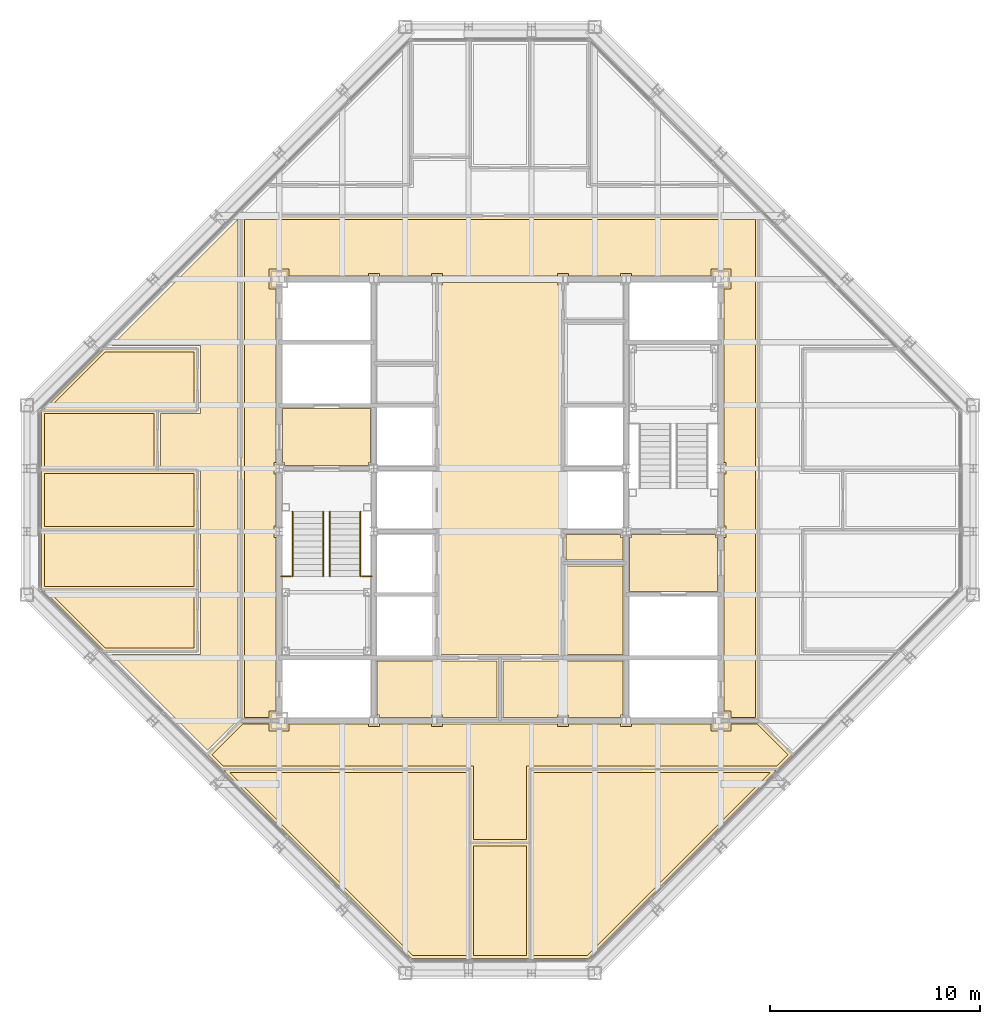
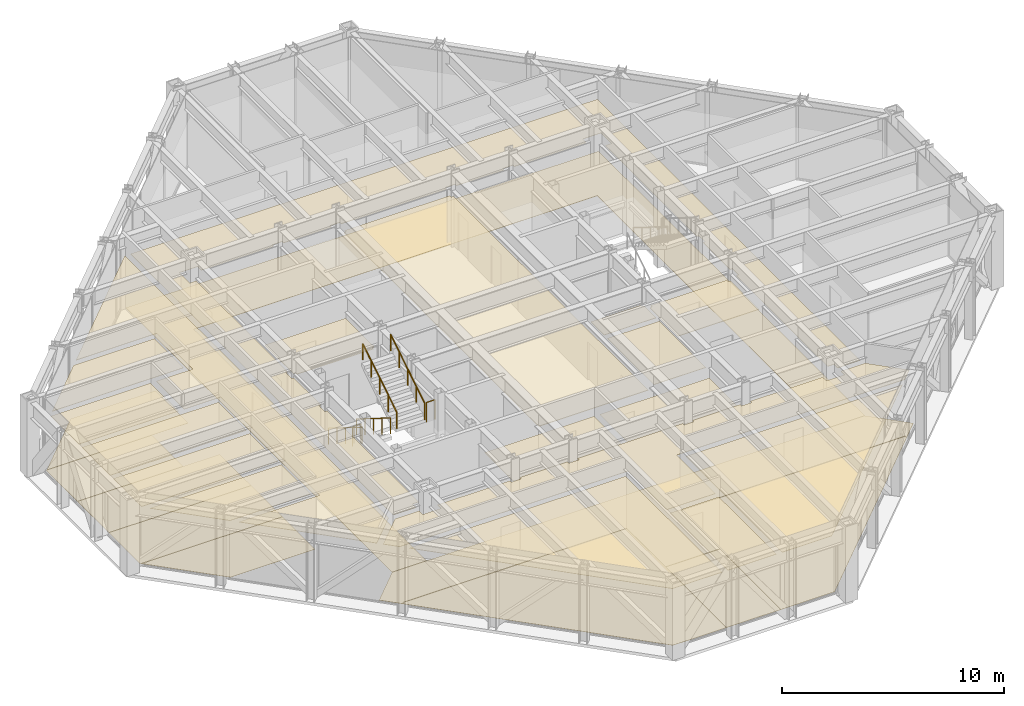
# One storey, part 14 of 15: 28 coverings, 6 railings.
"""IFC4 building model written with IfcOpenShell, lengths in metres."""

from ifc_helpers import new_model, si_unit, direction, frame, origin, origin_2d, place, context, subcontext, project, spatial, polyline, circle, outline, extrude, material, layer, layer_set, type_object, element, save


model = new_model("IFC4")

# Units and contexts
model_context = context("Model", 3, precision=1e-05, world=origin(), true_north=direction((0.0, 1.0)))
body_context = subcontext(model_context, "Body", "Model", "MODEL_VIEW")
ifc_project = project(units=[si_unit("LENGTHUNIT", "METRE"), si_unit("AREAUNIT", "SQUARE_METRE"), si_unit("VOLUMEUNIT", "CUBIC_METRE"), si_unit("PLANEANGLEUNIT", "RADIAN"), si_unit("MASSUNIT", "GRAM", prefix="KILO")], contexts=[model_context])

# Site, building, storey
site_placement = place(None, origin())
site = spatial("IfcSite", under=ifc_project, at=site_placement, CompositionType="ELEMENT")
building_placement = place(site_placement, origin())
building = spatial("IfcBuilding", under=site, at=building_placement, Name="Chuquiago Exchange Tower", CompositionType="ELEMENT")
storey_placement = place(building_placement, frame((0.0, 0.0, 283.199951171875)))
storey = spatial("IfcBuildingStorey", under=building, at=storey_placement, Name="L63", CompositionType="ELEMENT", Elevation=283.199951171875)

# Coverings
ifc_material_1 = material(Name="Mineral fibre tile, 600 x 600, on pale metal grid", Category="mineral fibre")
ifc_layer_1 = layer(ifc_material_1, 0.02001953125)
ifc_layer_set_1 = layer_set([ifc_layer_1], Name="CL1 suspended tile ceiling 20")
covering_type_1 = type_object("IfcCoveringType", Name="CL1 suspended tile ceiling 20", PredefinedType="CEILING", material=ifc_layer_set_1)
covering_1_placement = place(storey_placement, frame((0.0, 0.0, 3.0)))
element("IfcCovering", 1, at=covering_1_placement, inside=storey, type_object=covering_type_1, Name="Ceiling Conference room", PredefinedType="CEILING", context=body_context, shape_type="SweptSolid", body=[
    extrude(outline(polyline([(20.932861328125, 9.550048828125), (20.932861328125, 0.85009765625), (18.35205078125, 0.85009765625), (9.652099609375, 9.550048828125), (20.932861328125, 9.550048828125)])), origin(), (0.0, 0.0, 1.0), 0.02001953125),
])
covering_2_placement = place(storey_placement, frame((0.0, 0.0, 3.0)))
element("IfcCovering", 2, at=covering_2_placement, inside=storey, type_object=covering_type_1, Name="Ceiling Focus room", PredefinedType="CEILING", context=body_context, shape_type="SweptSolid", body=[
    extrude(outline(polyline([(21.23291015625, 6.050048828125), (23.76708984375, 6.050048828125), (23.76708984375, 0.85009765625), (21.23291015625, 0.85009765625), (21.23291015625, 6.050048828125)])), origin(), (0.0, 0.0, 1.0), 0.02001953125),
])
covering_3_placement = place(storey_placement, frame((0.0, 0.0, 3.0)))
element("IfcCovering", 3, at=covering_3_placement, inside=storey, type_object=covering_type_1, Name="Ceiling Conference room", PredefinedType="CEILING", context=body_context, shape_type="SweptSolid", body=[
    extrude(outline(polyline([(24.067138671875, 0.85009765625), (24.067138671875, 9.550048828125), (35.347900390625, 9.550048828125), (26.64794921875, 0.85009765625), (24.067138671875, 0.85009765625)])), origin(), (0.0, 0.0, 1.0), 0.02001953125),
])
covering_4_placement = place(storey_placement, frame((0.0, 0.0, 3.0)))
element("IfcCovering", 4, at=covering_4_placement, inside=storey, type_object=covering_type_1, Name="Ceiling Meeting room", PredefinedType="CEILING", context=body_context, shape_type="SweptSolid", body=[
    extrude(outline(polyline([(7.949951171875, 18.098388671875), (7.949951171875, 15.45703125), (3.744873046875, 15.45703125), (1.103515625, 18.098388671875), (7.949951171875, 18.098388671875)])), origin(), (0.0, 0.0, 1.0), 0.02001953125),
])
covering_5_placement = place(storey_placement, frame((0.0, 0.0, 3.0)))
element("IfcCovering", 5, at=covering_5_placement, inside=storey, type_object=covering_type_1, Name="Ceiling Meeting room", PredefinedType="CEILING", context=body_context, shape_type="SweptSolid", body=[
    extrude(outline(polyline([(0.85009765625, 20.932861328125), (7.949951171875, 20.932861328125), (7.949951171875, 18.3984375), (0.85009765625, 18.3984375), (0.85009765625, 20.932861328125)])), origin(), (0.0, 0.0, 1.0), 0.02001953125),
])
covering_6_placement = place(storey_placement, frame((0.0, 0.0, 3.0)))
element("IfcCovering", 6, at=covering_6_placement, inside=storey, type_object=covering_type_1, Name="Ceiling Meeting room", PredefinedType="CEILING", context=body_context, shape_type="SweptSolid", body=[
    extrude(outline(polyline([(7.949951171875, 23.76708984375), (7.949951171875, 21.23291015625), (0.85009765625, 21.23291015625), (0.85009765625, 23.76708984375), (7.949951171875, 23.76708984375)])), origin(), (0.0, 0.0, 1.0), 0.02001953125),
])
covering_7_placement = place(storey_placement, frame((0.0, 0.0, 3.0)))
element("IfcCovering", 7, at=covering_7_placement, inside=storey, type_object=covering_type_1, Name="Ceiling Wellness room", PredefinedType="CEILING", context=body_context, shape_type="SweptSolid", body=[
    extrude(outline(polyline([(6.050048828125, 26.6015625), (6.050048828125, 24.067138671875), (0.85009765625, 24.067138671875), (0.85009765625, 26.6015625), (6.050048828125, 26.6015625)])), origin(), (0.0, 0.0, 1.0), 0.02001953125),
])
covering_8_placement = place(storey_placement, frame((0.0, 0.0, 3.0)))
element("IfcCovering", 8, at=covering_8_placement, inside=storey, type_object=covering_type_1, Name="Ceiling Meeting room", PredefinedType="CEILING", context=body_context, shape_type="SweptSolid", body=[
    extrude(outline(polyline([(7.949951171875, 29.54296875), (7.949951171875, 26.901611328125), (1.103515625, 26.901611328125), (3.744873046875, 29.54296875), (7.949951171875, 29.54296875)])), origin(), (0.0, 0.0, 1.0), 0.02001953125),
])
covering_9_placement = place(storey_placement, frame((0.0, 0.0, 3.0)))
element("IfcCovering", 9, at=covering_9_placement, inside=storey, type_object=covering_type_1, Name="Ceiling Executive corridor", PredefinedType="CEILING", context=body_context, shape_type="SweptSolid", body=[
    extrude(outline(polyline([(10.35009765625, 12.14990234375), (10.35009765625, 35.85009765625), (34.64990234375, 35.85009765625), (34.64990234375, 12.14990234375), (33.47509765625, 12.14990234375), (33.47509765625, 12.47509765625), (33.14990234375, 12.47509765625), (33.14990234375, 20.727783203125), (33.25830078125, 20.727783203125), (33.25830078125, 21.272216796875), (33.14990234375, 21.272216796875), (33.14990234375, 23.727783203125), (33.25830078125, 23.727783203125), (33.25830078125, 24.272216796875), (33.14990234375, 24.272216796875), (33.14990234375, 32.52490234375), (33.47509765625, 32.52490234375), (33.47509765625, 33.47509765625), (32.52490234375, 33.47509765625), (32.52490234375, 33.14990234375), (28.75830078125, 33.14990234375), (28.75830078125, 33.272216796875), (28.24169921875, 33.272216796875), (28.24169921875, 33.14990234375), (25.75830078125, 33.14990234375), (25.75830078125, 33.272216796875), (25.24169921875, 33.272216796875), (25.24169921875, 33.14990234375), (19.75830078125, 33.14990234375), (19.75830078125, 33.272216796875), (19.24169921875, 33.272216796875), (19.24169921875, 33.14990234375), (16.75830078125, 33.14990234375), (16.75830078125, 33.272216796875), (16.24169921875, 33.272216796875), (16.24169921875, 33.14990234375), (12.47509765625, 33.14990234375), (12.47509765625, 33.47509765625), (11.52490234375, 33.47509765625), (11.52490234375, 32.52490234375), (11.85009765625, 32.52490234375), (11.85009765625, 24.272216796875), (11.74169921875, 24.272216796875), (11.74169921875, 23.727783203125), (11.85009765625, 23.727783203125), (11.85009765625, 21.272216796875), (11.74169921875, 21.272216796875), (11.74169921875, 20.727783203125), (11.85009765625, 20.727783203125), (11.85009765625, 12.47509765625), (11.52490234375, 12.47509765625), (11.52490234375, 12.14990234375), (10.35009765625, 12.14990234375)])), origin(), (0.0, 0.0, 1.0), 0.02001953125),
])
covering_10_placement = place(storey_placement, frame((0.0, 0.0, 3.0)))
element("IfcCovering", 10, at=covering_10_placement, inside=storey, type_object=covering_type_1, Name="Ceiling Executive reception east", PredefinedType="CEILING", context=body_context, shape_type="SweptSolid", body=[
    extrude(outline(polyline([(10.050048828125, 35.847900390625), (10.050048828125, 12.0625), (8.594482421875, 10.607421875), (4.044921875, 15.156982421875), (8.25, 15.156982421875), (8.25, 24.067138671875), (6.35009765625, 24.067138671875), (6.35009765625, 26.6015625), (8.25, 26.6015625), (8.25, 29.843017578125), (4.044921875, 29.843017578125), (10.050048828125, 35.847900390625)])), origin(), (0.0, 0.0, 1.0), 0.02001953125),
])
covering_11_placement = place(storey_placement, frame((0.0, 0.0, 3.0)))
element("IfcCovering", 11, at=covering_11_placement, inside=storey, type_object=covering_type_1, Name="Ceiling Executive reception south", PredefinedType="CEILING", context=body_context, shape_type="SweptSolid", body=[
    extrude(outline(polyline([(8.807373046875, 10.39453125), (10.2626953125, 11.85009765625), (11.52490234375, 11.85009765625), (11.52490234375, 11.52490234375), (12.47509765625, 11.52490234375), (12.47509765625, 11.85009765625), (16.24169921875, 11.85009765625), (16.24169921875, 11.727783203125), (16.75830078125, 11.727783203125), (16.75830078125, 11.85009765625), (19.24169921875, 11.85009765625), (19.24169921875, 11.727783203125), (19.75830078125, 11.727783203125), (19.75830078125, 11.85009765625), (25.24169921875, 11.85009765625), (25.24169921875, 11.727783203125), (25.75830078125, 11.727783203125), (25.75830078125, 11.85009765625), (28.24169921875, 11.85009765625), (28.24169921875, 11.727783203125), (28.75830078125, 11.727783203125), (28.75830078125, 11.85009765625), (32.52490234375, 11.85009765625), (32.52490234375, 11.52490234375), (33.47509765625, 11.52490234375), (33.47509765625, 11.85009765625), (34.7373046875, 11.85009765625), (36.192626953125, 10.39453125), (35.64794921875, 9.85009765625), (23.76708984375, 9.85009765625), (23.76708984375, 6.35009765625), (21.23291015625, 6.35009765625), (21.23291015625, 9.85009765625), (9.35205078125, 9.85009765625), (8.807373046875, 10.39453125)])), origin(), (0.0, 0.0, 1.0), 0.02001953125),
])
covering_12_placement = place(storey_placement, frame((0.0, 0.0, 3.0)))
element("IfcCovering", 12, at=covering_12_placement, inside=storey, type_object=covering_type_1, Name="Ceiling Catering store", PredefinedType="CEILING", context=body_context, shape_type="SweptSolid", body=[
    extrude(outline(polyline([(25.64990234375, 15.14990234375), (25.64990234375, 19.35009765625), (28.35009765625, 19.35009765625), (28.35009765625, 15.14990234375), (25.64990234375, 15.14990234375)])), origin(), (0.0, 0.0, 1.0), 0.02001953125),
])
covering_13_placement = place(storey_placement, frame((0.0, 0.0, 3.0)))
element("IfcCovering", 13, at=covering_13_placement, inside=storey, type_object=covering_type_1, Name="Ceiling Conference servery", PredefinedType="CEILING", context=body_context, shape_type="SweptSolid", body=[
    extrude(outline(polyline([(25.64990234375, 19.64990234375), (25.64990234375, 20.85009765625), (28.24169921875, 20.85009765625), (28.24169921875, 20.727783203125), (28.35009765625, 20.727783203125), (28.35009765625, 19.64990234375), (25.64990234375, 19.64990234375)])), origin(), (0.0, 0.0, 1.0), 0.02001953125),
])
ifc_material_2 = material(Name="Moisture resistant plasterboard on metal frame", Category="gypsum")
ifc_layer_2 = layer(ifc_material_2, 0.014892578125)
ifc_layer_set_2 = layer_set([ifc_layer_2], Name="CL2 moisture resistant ceiling 15")
covering_type_2 = type_object("IfcCoveringType", Name="CL2 moisture resistant ceiling 15", PredefinedType="CEILING", material=ifc_layer_set_2)
covering_14_placement = place(storey_placement, frame((0.0, 0.0, 2.60009765625)))
element("IfcCovering", 14, at=covering_14_placement, inside=storey, type_object=covering_type_2, Name="Ceiling Accessible WC", PredefinedType="CEILING", context=body_context, shape_type="SweptSolid", body=[
    extrude(outline(polyline([(25.75830078125, 12.14990234375), (25.75830078125, 12.272216796875), (25.24169921875, 12.272216796875), (25.24169921875, 12.14990234375), (22.64990234375, 12.14990234375), (22.64990234375, 14.85009765625), (28.35009765625, 14.85009765625), (28.35009765625, 12.272216796875), (28.24169921875, 12.272216796875), (28.24169921875, 12.14990234375), (25.75830078125, 12.14990234375)])), origin(), (0.0, 0.0, 1.0), 0.014892578125),
])
covering_15_placement = place(storey_placement, frame((0.0, 0.0, 2.60009765625)))
element("IfcCovering", 15, at=covering_15_placement, inside=storey, type_object=covering_type_2, Name="Ceiling Cleaner", PredefinedType="CEILING", context=body_context, shape_type="SweptSolid", body=[
    extrude(outline(polyline([(19.75830078125, 12.14990234375), (19.75830078125, 12.272216796875), (19.24169921875, 12.272216796875), (19.24169921875, 12.14990234375), (16.75830078125, 12.14990234375), (16.75830078125, 12.272216796875), (16.64990234375, 12.272216796875), (16.64990234375, 14.85009765625), (22.35009765625, 14.85009765625), (22.35009765625, 12.14990234375), (19.75830078125, 12.14990234375)])), origin(), (0.0, 0.0, 1.0), 0.014892578125),
])
ifc_material_3 = material(Name="Pale metal plank ceiling, perforated", Category="aluminium")
ifc_layer_3 = layer(ifc_material_3, 0.030029296875)
ifc_layer_set_3 = layer_set([ifc_layer_3], Name="CL3 metal plank ceiling 30")
covering_type_3 = type_object("IfcCoveringType", Name="CL3 metal plank ceiling 30", PredefinedType="CEILING", material=ifc_layer_set_3)
covering_16_placement = place(storey_placement, frame((0.0, 0.0, 2.800048828125)))
element("IfcCovering", 16, at=covering_16_placement, inside=storey, type_object=covering_type_3, Name="Ceiling Lift lobby", PredefinedType="CEILING", context=body_context, shape_type="SweptSolid", body=[
    extrude(outline(polyline([(19.64990234375, 15.14990234375), (19.64990234375, 32.727783203125), (19.75830078125, 32.727783203125), (19.75830078125, 32.85009765625), (25.24169921875, 32.85009765625), (25.24169921875, 32.727783203125), (25.35009765625, 32.727783203125), (25.35009765625, 15.14990234375), (19.64990234375, 15.14990234375)])), origin(), (0.0, 0.0, 1.0), 0.030029296875),
])
covering_17_placement = place(storey_placement, frame((0.0, 0.0, 2.800048828125)))
element("IfcCovering", 17, at=covering_17_placement, inside=storey, type_object=covering_type_3, Name="Ceiling Firefighting lobby", PredefinedType="CEILING", context=body_context, shape_type="SweptSolid", body=[
    extrude(outline(polyline([(12.25830078125, 24.14990234375), (12.25830078125, 24.272216796875), (12.14990234375, 24.272216796875), (12.14990234375, 26.85009765625), (16.35009765625, 26.85009765625), (16.35009765625, 24.272216796875), (16.24169921875, 24.272216796875), (16.24169921875, 24.14990234375), (12.25830078125, 24.14990234375)])), origin(), (0.0, 0.0, 1.0), 0.030029296875),
])
covering_18_placement = place(storey_placement, frame((0.0, 0.0, 2.800048828125)))
element("IfcCovering", 18, at=covering_18_placement, inside=storey, type_object=covering_type_3, Name="Ceiling Firefighting lobby", PredefinedType="CEILING", context=body_context, shape_type="SweptSolid", body=[
    extrude(outline(polyline([(28.64990234375, 18.14990234375), (28.64990234375, 20.727783203125), (28.75830078125, 20.727783203125), (28.75830078125, 20.85009765625), (32.74169921875, 20.85009765625), (32.74169921875, 20.727783203125), (32.85009765625, 20.727783203125), (32.85009765625, 18.14990234375), (28.64990234375, 18.14990234375)])), origin(), (0.0, 0.0, 1.0), 0.030029296875),
])
ifc_material_4 = material(Name="Carpet tile, 500 x 500, on the floor slab", Category="textile")
ifc_layer_4 = layer(ifc_material_4, 0.010009765625)
ifc_layer_set_4 = layer_set([ifc_layer_4], Name="FL1 carpet tile 10")
covering_type_4 = type_object("IfcCoveringType", Name="FL1 carpet tile 10", PredefinedType="FLOORING", material=ifc_layer_set_4)
covering_19_placement = place(storey_placement, origin())
element("IfcCovering", 19, at=covering_19_placement, inside=storey, type_object=covering_type_4, Name="Floor finish Conference room", PredefinedType="FLOORING", context=body_context, shape_type="SweptSolid", body=[
    extrude(outline(polyline([(18.289794921875, 0.699951171875), (9.42431640625, 9.565673828125), (9.42431640625, 9.699951171875), (21.082763671875, 9.699951171875), (21.082763671875, 0.699951171875), (18.289794921875, 0.699951171875)])), origin(), (0.0, 0.0, 1.0), 0.010009765625),
])
covering_20_placement = place(storey_placement, origin())
element("IfcCovering", 20, at=covering_20_placement, inside=storey, type_object=covering_type_4, Name="Floor finish Focus room", PredefinedType="FLOORING", context=body_context, shape_type="SweptSolid", body=[
    extrude(outline(polyline([(21.082763671875, 0.699951171875), (21.082763671875, 6.199951171875), (23.917236328125, 6.199951171875), (23.917236328125, 0.699951171875), (21.082763671875, 0.699951171875)])), origin(), (0.0, 0.0, 1.0), 0.010009765625),
])
covering_21_placement = place(storey_placement, origin())
element("IfcCovering", 21, at=covering_21_placement, inside=storey, type_object=covering_type_4, Name="Floor finish Conference room", PredefinedType="FLOORING", context=body_context, shape_type="SweptSolid", body=[
    extrude(outline(polyline([(26.710205078125, 0.699951171875), (23.917236328125, 0.699951171875), (23.917236328125, 9.699951171875), (35.57568359375, 9.699951171875), (35.57568359375, 9.565673828125), (26.710205078125, 0.699951171875)])), origin(), (0.0, 0.0, 1.0), 0.010009765625),
])
covering_22_placement = place(storey_placement, origin())
element("IfcCovering", 22, at=covering_22_placement, inside=storey, type_object=covering_type_4, Name="Floor finish Meeting room", PredefinedType="FLOORING", context=body_context, shape_type="SweptSolid", body=[
    extrude(outline(polyline([(0.741455078125, 18.24853515625), (8.10009765625, 18.24853515625), (8.10009765625, 15.30712890625), (3.682861328125, 15.30712890625), (0.741455078125, 18.24853515625)])), origin(), (0.0, 0.0, 1.0), 0.010009765625),
])
covering_23_placement = place(storey_placement, origin())
element("IfcCovering", 23, at=covering_23_placement, inside=storey, type_object=covering_type_4, Name="Floor finish Meeting room", PredefinedType="FLOORING", context=body_context, shape_type="SweptSolid", body=[
    extrude(outline(polyline([(0.699951171875, 21.082763671875), (8.10009765625, 21.082763671875), (8.10009765625, 18.24853515625), (0.741455078125, 18.24853515625), (0.699951171875, 18.289794921875), (0.699951171875, 21.082763671875)])), origin(), (0.0, 0.0, 1.0), 0.010009765625),
])
covering_24_placement = place(storey_placement, origin())
element("IfcCovering", 24, at=covering_24_placement, inside=storey, type_object=covering_type_4, Name="Floor finish Meeting room", PredefinedType="FLOORING", context=body_context, shape_type="SweptSolid", body=[
    extrude(outline(polyline([(0.699951171875, 23.917236328125), (8.10009765625, 23.917236328125), (8.10009765625, 21.082763671875), (0.699951171875, 21.082763671875), (0.699951171875, 23.917236328125)])), origin(), (0.0, 0.0, 1.0), 0.010009765625),
])
covering_25_placement = place(storey_placement, origin())
element("IfcCovering", 25, at=covering_25_placement, inside=storey, type_object=covering_type_4, Name="Floor finish Wellness room", PredefinedType="FLOORING", context=body_context, shape_type="SweptSolid", body=[
    extrude(outline(polyline([(0.699951171875, 26.710205078125), (0.741455078125, 26.75146484375), (6.199951171875, 26.75146484375), (6.199951171875, 23.917236328125), (0.699951171875, 23.917236328125), (0.699951171875, 26.710205078125)])), origin(), (0.0, 0.0, 1.0), 0.010009765625),
])
covering_26_placement = place(storey_placement, origin())
element("IfcCovering", 26, at=covering_26_placement, inside=storey, type_object=covering_type_4, Name="Floor finish Meeting room", PredefinedType="FLOORING", context=body_context, shape_type="SweptSolid", body=[
    extrude(outline(polyline([(3.682861328125, 29.69287109375), (8.10009765625, 29.69287109375), (8.10009765625, 26.75146484375), (0.741455078125, 26.75146484375), (3.682861328125, 29.69287109375)])), origin(), (0.0, 0.0, 1.0), 0.010009765625),
])
ifc_material_5 = material(Name="Porcelain floor tile, 600 x 600, on adhesive bed", Category="ceramic")
ifc_layer_5 = layer(ifc_material_5, 0.014892578125)
ifc_layer_set_5 = layer_set([ifc_layer_5], Name="FL2 porcelain tile 15")
covering_type_5 = type_object("IfcCoveringType", Name="FL2 porcelain tile 15", PredefinedType="FLOORING", material=ifc_layer_set_5)
covering_27_placement = place(storey_placement, origin())
element("IfcCovering", 27, at=covering_27_placement, inside=storey, type_object=covering_type_5, Name="Floor finish Executive corridor", PredefinedType="FLOORING", context=body_context, shape_type="SweptSolid", body=[
    extrude(outline(polyline([(12.0, 12.0), (10.199951171875, 12.0), (10.199951171875, 36.0), (34.800048828125, 36.0), (34.800048828125, 12.0), (33.0, 12.0), (33.0, 33.0), (12.0, 33.0), (12.0, 12.0)])), origin(), (0.0, 0.0, 1.0), 0.01513671875),
])
covering_28_placement = place(storey_placement, origin())
element("IfcCovering", 28, at=covering_28_placement, inside=storey, type_object=covering_type_5, Name="Floor finish Executive reception south", PredefinedType="FLOORING", context=body_context, shape_type="SweptSolid", body=[
    extrude(outline(polyline([(35.57568359375, 9.565673828125), (35.57568359375, 9.699951171875), (23.917236328125, 9.699951171875), (23.917236328125, 6.199951171875), (21.082763671875, 6.199951171875), (21.082763671875, 9.699951171875), (9.42431640625, 9.699951171875), (9.42431640625, 9.565673828125), (8.59521484375, 10.39453125), (10.200439453125, 12.0), (34.799560546875, 12.0), (36.40478515625, 10.39453125), (35.57568359375, 9.565673828125)])), origin(), (0.0, 0.0, 1.0), 0.01513671875),
])

# Railings
ifc_material_6 = material(Name="Pale metal guard with safety glass infill", Category="glass")
railing_type_1 = type_object("IfcRailingType", Name="GR1 guard 1100", PredefinedType="GUARDRAIL", material=ifc_material_6)
for number, where, name in (
    (29, (12.10009765625, 18.8701171875, 2.10009765625), "Guard ST1 L63 landing 2"),
    (30, (15.945068359375, 18.8701171875, 2.10009765625), "Guard ST1 L63 landing 2"),
):
    element("IfcRailing", number, at=place(storey_placement, frame(where)), inside=storey, type_object=railing_type_1, Name=name, PredefinedType="GUARDRAIL", context=body_context, shape_type="SweptSolid", body=[
        extrude(circle(Radius=0.02392578125, at=origin_2d()), frame((0.0, 0.0, 1.076171875), z_axis=(1.0, 0.0, 0.0), x_axis=(0.0, 1.0, 0.0)), (0.0, 0.0, 1.0), 0.454833984375),
        extrude(circle(Radius=0.02099609375, at=origin_2d()), origin(), (0.0, 0.0, 1.0), 1.052001953125),
        extrude(circle(Radius=0.02099609375, at=origin_2d()), frame((0.454833984375, 0.0, 0.0)), (0.0, 0.0, 1.0), 1.052001953125),
    ])
ifc_material_7 = material(Name="Pale metal handrail", Category="steel")
railing_type_2 = type_object("IfcRailingType", Name="HR1 handrail 900", PredefinedType="HANDRAIL", material=ifc_material_7)
for number, where, name in (
    (31, (12.635009765625, 21.949951171875, 0.175048828125), "Handrail ST1 L63 flight 1"),
    (32, (14.0849609375, 21.949951171875, 0.175048828125), "Handrail ST1 L63 flight 1"),
):
    element("IfcRailing", number, at=place(storey_placement, frame(where)), inside=storey, type_object=railing_type_2, Name=name, PredefinedType="HANDRAIL", context=body_context, shape_type="SweptSolid", body=[
        extrude(circle(Radius=0.02392578125, at=origin_2d()), frame((0.0, 0.0, 0.8759765625), z_axis=(0.0, -0.847979421464, 0.530029150871), x_axis=(1.0, 0.0, 0.0)), (0.0, 0.0, 1.0), 3.632080078125),
        extrude(circle(Radius=0.02099609375, at=origin_2d()), origin(), (0.0, 0.0, 1.0), 0.851806640625),
        extrude(circle(Radius=0.02099609375, at=origin_2d()), frame((0.0, -0.77001953125, 0.481201171875)), (0.0, 0.0, 1.0), 0.851806640625),
        extrude(circle(Radius=0.02099609375, at=origin_2d()), frame((0.0, -1.5400390625, 0.96240234375)), (0.0, 0.0, 1.0), 0.851806640625),
        extrude(circle(Radius=0.02099609375, at=origin_2d()), frame((0.0, -2.309814453125, 1.44384765625)), (0.0, 0.0, 1.0), 0.851806640625),
        extrude(circle(Radius=0.02099609375, at=origin_2d()), frame((0.0, -3.079833984375, 1.925048828125)), (0.0, 0.0, 1.0), 0.851806640625),
    ])
for number, where, name in (
    (33, (15.864990234375, 18.8701171875, 2.275146484375), "Handrail ST1 L63 flight 2"),
    (34, (14.4150390625, 18.8701171875, 2.275146484375), "Handrail ST1 L63 flight 2"),
):
    element("IfcRailing", number, at=place(storey_placement, frame(where)), inside=storey, type_object=railing_type_2, Name=name, PredefinedType="HANDRAIL", context=body_context, shape_type="SweptSolid", body=[
        extrude(circle(Radius=0.02392578125, at=origin_2d()), frame((0.0, 0.0, 0.8759765625), z_axis=(0.0, 0.848009633417, 0.529980812513), x_axis=(-1.0, 0.0, 0.0)), (0.0, 0.0, 1.0), 3.6318359375),
        extrude(circle(Radius=0.02099609375, at=origin_2d()), origin(), (0.0, 0.0, 1.0), 0.851806640625),
        extrude(circle(Radius=0.02099609375, at=origin_2d()), frame((0.0, 0.77001953125, 0.481201171875)), (0.0, 0.0, 1.0), 0.851806640625),
        extrude(circle(Radius=0.02099609375, at=origin_2d()), frame((0.0, 1.5400390625, 0.96240234375)), (0.0, 0.0, 1.0), 0.851806640625),
        extrude(circle(Radius=0.02099609375, at=origin_2d()), frame((0.0, 2.309814453125, 1.443603515625)), (0.0, 0.0, 1.0), 0.851806640625),
        extrude(circle(Radius=0.02099609375, at=origin_2d()), frame((0.0, 3.079833984375, 1.9248046875)), (0.0, 0.0, 1.0), 0.851806640625),
    ])

save(model, "model.ifc")
